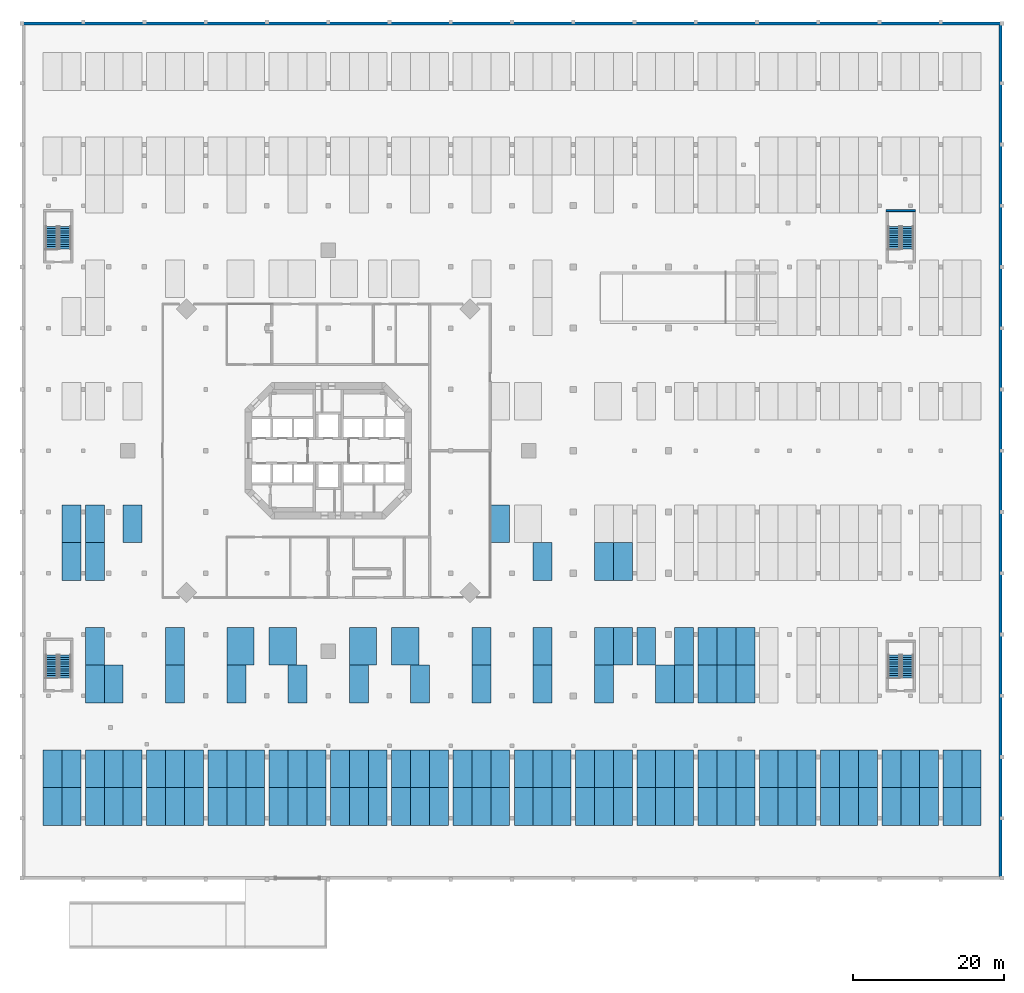
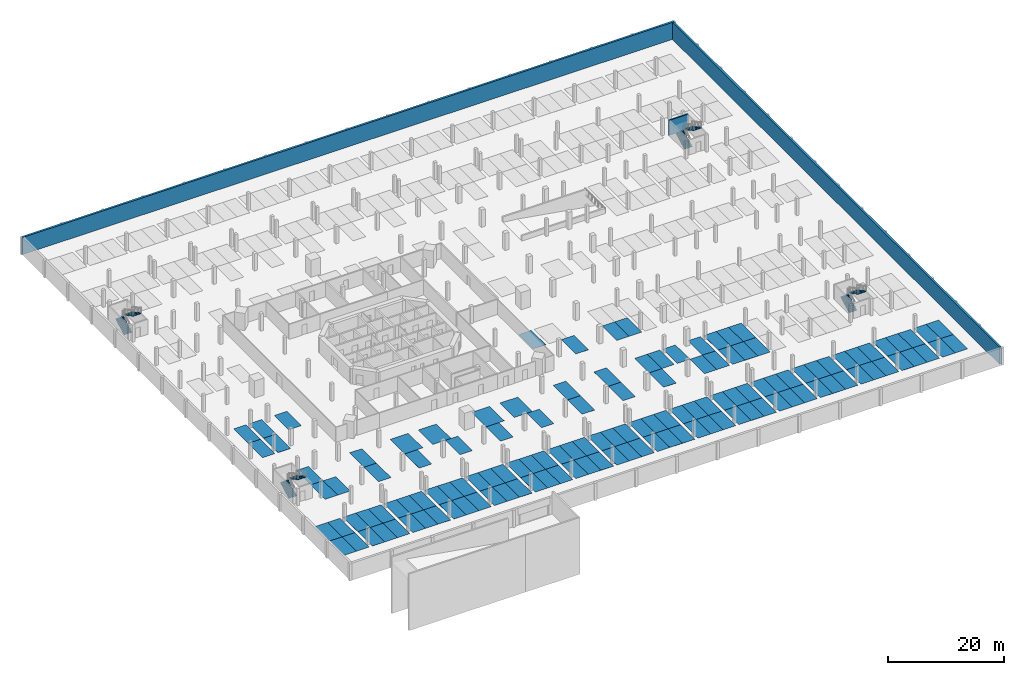
# One storey, part 12 of 14: 131 discrete accessories, 8 stair flights, 3 walls, 4 elements without a shape of their own.
"""IFC4 building model written with IfcOpenShell, lengths in metres."""

from ifc_helpers import new_model, si_unit, direction, frame, frame_2d, origin, origin_2d, place, context, subcontext, project, spatial, polyline, rectangle, outline, extrude, material, layer, layer_set, type_object, element, aggregate, save


model = new_model("IFC4")

# Units and contexts
model_context = context("Model", 3, precision=1e-05, world=origin(), true_north=direction((0.0, 1.0)))
body_context = subcontext(model_context, "Body", "Model", "MODEL_VIEW")
ifc_project = project(units=[si_unit("LENGTHUNIT", "METRE"), si_unit("AREAUNIT", "SQUARE_METRE"), si_unit("VOLUMEUNIT", "CUBIC_METRE"), si_unit("PLANEANGLEUNIT", "RADIAN"), si_unit("MASSUNIT", "GRAM", prefix="KILO")], contexts=[model_context])

# Site, building, storey
site_placement = place(None, origin())
site = spatial("IfcSite", under=ifc_project, at=site_placement, CompositionType="ELEMENT")
building_placement = place(site_placement, origin())
building = spatial("IfcBuilding", under=site, at=building_placement, Name="Torre Triforio", CompositionType="ELEMENT")
storey_placement = place(building_placement, frame((0.0, 0.0, -3.60009765625)))
storey = spatial("IfcBuildingStorey", under=building, at=storey_placement, Name="B1", CompositionType="ELEMENT", Elevation=-3.60009765625)

# Walls
ifc_material = material(Name="Concrete C40", Category="concrete")
ifc_layer_1 = layer(ifc_material, 0.39990234375)
ifc_layer_set_1 = layer_set([ifc_layer_1], Name="Concrete C40")
wall_type_1 = type_object("IfcWallType", Name="Retaining wall 400 C40", PredefinedType="SOLIDWALL", material=ifc_layer_set_1)
wall_1_placement = place(storey_placement, frame((-40.5, 56.5, 0.0), z_axis=(0.0, 0.0, 1.0), x_axis=(1.0, 0.0, 0.0)))
element("IfcWall", 1, at=wall_1_placement, inside=storey, type_object=wall_type_1, Name="WL.RET.B1.N", PredefinedType="SOLIDWALL", context=body_context, shape_type="SweptSolid", body=[
    extrude(rectangle(XDim=129.60009765625, YDim=0.39990234375, at=frame_2d((64.800048828125, 0.0))), origin(), (0.0, 0.0, 1.0), 3.60009765625),
])
wall_2_placement = place(storey_placement, frame((88.89990234375, -56.300048828125, 0.0), z_axis=(0.0, 0.0, 1.0), x_axis=(0.0, 1.0, 0.0)))
element("IfcWall", 2, at=wall_2_placement, inside=storey, type_object=wall_type_1, Name="WL.RET.B1.E", PredefinedType="SOLIDWALL", context=body_context, shape_type="SweptSolid", body=[
    extrude(rectangle(XDim=112.60009765625, YDim=0.39990234375, at=frame_2d((56.300048828125, 0.0))), origin(), (0.0, 0.0, 1.0), 3.60009765625),
])
ifc_layer_2 = layer(ifc_material, 0.25)
ifc_layer_set_2 = layer_set([ifc_layer_2], Name="Concrete C40")
wall_type_2 = type_object("IfcWallType", Name="Stair enclosure wall 250 EI 120", PredefinedType="STANDARD", material=ifc_layer_set_2)
wall_3_placement = place(storey_placement, frame((73.77490234375, 31.75, 0.0), z_axis=(0.0, 0.0, 1.0), x_axis=(1.0, 0.0, 0.0)))
element("IfcWall", 3, at=wall_3_placement, inside=storey, type_object=wall_type_2, Name="Stair enclosure wall B1 014", PredefinedType="STANDARD", context=body_context, shape_type="SweptSolid", body=[
    extrude(rectangle(XDim=3.85009765625, YDim=0.25, at=frame_2d((1.925048828125, 0.0))), origin(), (0.0, 0.0, 1.0), 3.150146484375),
])

# Stair, stair flights
stair_type = type_object("IfcStairType", Name="Egress stair 1400 clear", PredefinedType="NOTDEFINED", material=ifc_material)
stair_1_placement = place(storey_placement, origin())
stair_1 = element("IfcStair", 4, at=stair_1_placement, inside=storey, type_object=stair_type, Name="Exit stair BS1 B1 to L00", PredefinedType="NOTDEFINED")
stair_flight_type = type_object("IfcStairFlightType", Name="Egress stair flight 1400", PredefinedType="STRAIGHT", material=ifc_material)
stair_flight_1_placement = place(storey_placement, frame((-36.60009765625, -30.02490234375, 0.0), z_axis=(0.0, 0.0, 1.0), x_axis=(0.0, 1.0, 0.0)))
stair_flight_1 = element("IfcStairFlight", 5, at=stair_flight_1_placement, type_object=stair_flight_type, Name="BS1 flight 1", NumberOfRisers=11, NumberOfTreads=10, PredefinedType="STRAIGHT", RiserHeight=0.163636364, TreadLength=0.3, context=body_context, shape_type="SweptSolid", body=[
    extrude(outline(polyline([(0.0, 0.0), (0.0, 0.16357421875), (0.300048828125, 0.16357421875), (0.300048828125, 0.327392578125), (0.60009765625, 0.327392578125), (0.60009765625, 0.490966796875), (0.89990234375, 0.490966796875), (0.89990234375, 0.654541015625), (1.199951171875, 0.654541015625), (1.199951171875, 0.818115234375), (1.5, 0.818115234375), (1.5, 0.98193359375), (1.800048828125, 0.98193359375), (1.800048828125, 1.1455078125), (2.10009765625, 1.1455078125), (2.10009765625, 1.30908203125), (2.39990234375, 1.30908203125), (2.39990234375, 1.47265625), (2.699951171875, 1.47265625), (2.699951171875, 1.636474609375), (3.0, 1.636474609375), (3.0, 1.800048828125), (3.0, 1.465576171875), (0.31298828125, 0.0), (0.0, 0.0)])), frame((0.0, 0.77490234375, 0.0), z_axis=(0.0, -1.0, 0.0), x_axis=(1.0, 0.0, 0.0)), (0.0, 0.0, 1.0), 1.550048828125),
])
stair_flight_2_placement = place(storey_placement, frame((-34.800048828125, -27.02490234375, 1.800048828125), z_axis=(0.0, 0.0, 1.0), x_axis=(0.0, -1.0, 0.0)))
stair_flight_2 = element("IfcStairFlight", 6, at=stair_flight_2_placement, type_object=stair_flight_type, Name="BS1 flight 2", NumberOfRisers=11, NumberOfTreads=10, PredefinedType="STRAIGHT", RiserHeight=0.163636364, TreadLength=0.3, context=body_context, shape_type="SweptSolid", body=[
    extrude(outline(polyline([(0.0, 0.0), (0.0, 0.16357421875), (0.300048828125, 0.16357421875), (0.300048828125, 0.327392578125), (0.60009765625, 0.327392578125), (0.60009765625, 0.490966796875), (0.89990234375, 0.490966796875), (0.89990234375, 0.654541015625), (1.199951171875, 0.654541015625), (1.199951171875, 0.818115234375), (1.5, 0.818115234375), (1.5, 0.98193359375), (1.800048828125, 0.98193359375), (1.800048828125, 1.1455078125), (2.10009765625, 1.1455078125), (2.10009765625, 1.30908203125), (2.39990234375, 1.30908203125), (2.39990234375, 1.47265625), (2.699951171875, 1.47265625), (2.699951171875, 1.636474609375), (3.0, 1.636474609375), (3.0, 1.800048828125), (3.0, 1.465576171875), (0.31298828125, 0.0), (0.0, 0.0)])), frame((0.0, 0.77490234375, 0.0), z_axis=(0.0, -1.0, 0.0), x_axis=(1.0, 0.0, 0.0)), (0.0, 0.0, 1.0), 1.550048828125),
])
aggregate(stair_1, [stair_flight_1, stair_flight_2])

stair_2_placement = place(storey_placement, origin())
stair_2 = element("IfcStair", 7, at=stair_2_placement, inside=storey, type_object=stair_type, Name="Exit stair BS2 B1 to L00", PredefinedType="NOTDEFINED")
stair_flight_3_placement = place(storey_placement, frame((-36.60009765625, 26.675048828125, 0.0), z_axis=(0.0, 0.0, 1.0), x_axis=(0.0, 1.0, 0.0)))
stair_flight_3 = element("IfcStairFlight", 8, at=stair_flight_3_placement, type_object=stair_flight_type, Name="BS2 flight 1", NumberOfRisers=11, NumberOfTreads=10, PredefinedType="STRAIGHT", RiserHeight=0.163636364, TreadLength=0.3, context=body_context, shape_type="SweptSolid", body=[
    extrude(outline(polyline([(0.0, 0.0), (0.0, 0.16357421875), (0.300048828125, 0.16357421875), (0.300048828125, 0.327392578125), (0.60009765625, 0.327392578125), (0.60009765625, 0.490966796875), (0.89990234375, 0.490966796875), (0.89990234375, 0.654541015625), (1.199951171875, 0.654541015625), (1.199951171875, 0.818115234375), (1.5, 0.818115234375), (1.5, 0.98193359375), (1.800048828125, 0.98193359375), (1.800048828125, 1.1455078125), (2.10009765625, 1.1455078125), (2.10009765625, 1.30908203125), (2.39990234375, 1.30908203125), (2.39990234375, 1.47265625), (2.699951171875, 1.47265625), (2.699951171875, 1.636474609375), (3.0, 1.636474609375), (3.0, 1.800048828125), (3.0, 1.465576171875), (0.31298828125, 0.0), (0.0, 0.0)])), frame((0.0, 0.77490234375, 0.0), z_axis=(0.0, -1.0, 0.0), x_axis=(1.0, 0.0, 0.0)), (0.0, 0.0, 1.0), 1.550048828125),
])
stair_flight_4_placement = place(storey_placement, frame((-34.800048828125, 29.675048828125, 1.800048828125), z_axis=(0.0, 0.0, 1.0), x_axis=(0.0, -1.0, 0.0)))
stair_flight_4 = element("IfcStairFlight", 9, at=stair_flight_4_placement, type_object=stair_flight_type, Name="BS2 flight 2", NumberOfRisers=11, NumberOfTreads=10, PredefinedType="STRAIGHT", RiserHeight=0.163636364, TreadLength=0.3, context=body_context, shape_type="SweptSolid", body=[
    extrude(outline(polyline([(0.0, 0.0), (0.0, 0.16357421875), (0.300048828125, 0.16357421875), (0.300048828125, 0.327392578125), (0.60009765625, 0.327392578125), (0.60009765625, 0.490966796875), (0.89990234375, 0.490966796875), (0.89990234375, 0.654541015625), (1.199951171875, 0.654541015625), (1.199951171875, 0.818115234375), (1.5, 0.818115234375), (1.5, 0.98193359375), (1.800048828125, 0.98193359375), (1.800048828125, 1.1455078125), (2.10009765625, 1.1455078125), (2.10009765625, 1.30908203125), (2.39990234375, 1.30908203125), (2.39990234375, 1.47265625), (2.699951171875, 1.47265625), (2.699951171875, 1.636474609375), (3.0, 1.636474609375), (3.0, 1.800048828125), (3.0, 1.465576171875), (0.31298828125, 0.0), (0.0, 0.0)])), frame((0.0, 0.77490234375, 0.0), z_axis=(0.0, -1.0, 0.0), x_axis=(1.0, 0.0, 0.0)), (0.0, 0.0, 1.0), 1.550048828125),
])
aggregate(stair_2, [stair_flight_3, stair_flight_4])

stair_3_placement = place(storey_placement, origin())
stair_3 = element("IfcStair", 10, at=stair_3_placement, inside=storey, type_object=stair_type, Name="Exit stair BS3 B1 to L00", PredefinedType="NOTDEFINED")
stair_flight_5_placement = place(storey_placement, frame((74.800048828125, -30.02490234375, 0.0), z_axis=(0.0, 0.0, 1.0), x_axis=(0.0, 1.0, 0.0)))
stair_flight_5 = element("IfcStairFlight", 11, at=stair_flight_5_placement, type_object=stair_flight_type, Name="BS3 flight 1", NumberOfRisers=11, NumberOfTreads=10, PredefinedType="STRAIGHT", RiserHeight=0.163636364, TreadLength=0.3, context=body_context, shape_type="SweptSolid", body=[
    extrude(outline(polyline([(0.0, 0.0), (0.0, 0.16357421875), (0.300048828125, 0.16357421875), (0.300048828125, 0.327392578125), (0.60009765625, 0.327392578125), (0.60009765625, 0.490966796875), (0.89990234375, 0.490966796875), (0.89990234375, 0.654541015625), (1.199951171875, 0.654541015625), (1.199951171875, 0.818115234375), (1.5, 0.818115234375), (1.5, 0.98193359375), (1.800048828125, 0.98193359375), (1.800048828125, 1.1455078125), (2.10009765625, 1.1455078125), (2.10009765625, 1.30908203125), (2.39990234375, 1.30908203125), (2.39990234375, 1.47265625), (2.699951171875, 1.47265625), (2.699951171875, 1.636474609375), (3.0, 1.636474609375), (3.0, 1.800048828125), (3.0, 1.465576171875), (0.31298828125, 0.0), (0.0, 0.0)])), frame((0.0, 0.77490234375, 0.0), z_axis=(0.0, -1.0, 0.0), x_axis=(1.0, 0.0, 0.0)), (0.0, 0.0, 1.0), 1.550048828125),
])
stair_flight_6_placement = place(storey_placement, frame((76.60009765625, -27.02490234375, 1.800048828125), z_axis=(0.0, 0.0, 1.0), x_axis=(0.0, -1.0, 0.0)))
stair_flight_6 = element("IfcStairFlight", 12, at=stair_flight_6_placement, type_object=stair_flight_type, Name="BS3 flight 2", NumberOfRisers=11, NumberOfTreads=10, PredefinedType="STRAIGHT", RiserHeight=0.163636364, TreadLength=0.3, context=body_context, shape_type="SweptSolid", body=[
    extrude(outline(polyline([(0.0, 0.0), (0.0, 0.16357421875), (0.300048828125, 0.16357421875), (0.300048828125, 0.327392578125), (0.60009765625, 0.327392578125), (0.60009765625, 0.490966796875), (0.89990234375, 0.490966796875), (0.89990234375, 0.654541015625), (1.199951171875, 0.654541015625), (1.199951171875, 0.818115234375), (1.5, 0.818115234375), (1.5, 0.98193359375), (1.800048828125, 0.98193359375), (1.800048828125, 1.1455078125), (2.10009765625, 1.1455078125), (2.10009765625, 1.30908203125), (2.39990234375, 1.30908203125), (2.39990234375, 1.47265625), (2.699951171875, 1.47265625), (2.699951171875, 1.636474609375), (3.0, 1.636474609375), (3.0, 1.800048828125), (3.0, 1.465576171875), (0.31298828125, 0.0), (0.0, 0.0)])), frame((0.0, 0.77490234375, 0.0), z_axis=(0.0, -1.0, 0.0), x_axis=(1.0, 0.0, 0.0)), (0.0, 0.0, 1.0), 1.550048828125),
])
aggregate(stair_3, [stair_flight_5, stair_flight_6])

stair_4_placement = place(storey_placement, origin())
stair_4 = element("IfcStair", 13, at=stair_4_placement, inside=storey, type_object=stair_type, Name="Exit stair BS4 B1 to L00", PredefinedType="NOTDEFINED")
stair_flight_7_placement = place(storey_placement, frame((74.800048828125, 26.675048828125, 0.0), z_axis=(0.0, 0.0, 1.0), x_axis=(0.0, 1.0, 0.0)))
stair_flight_7 = element("IfcStairFlight", 14, at=stair_flight_7_placement, type_object=stair_flight_type, Name="BS4 flight 1", NumberOfRisers=11, NumberOfTreads=10, PredefinedType="STRAIGHT", RiserHeight=0.163636364, TreadLength=0.3, context=body_context, shape_type="SweptSolid", body=[
    extrude(outline(polyline([(0.0, 0.0), (0.0, 0.16357421875), (0.300048828125, 0.16357421875), (0.300048828125, 0.327392578125), (0.60009765625, 0.327392578125), (0.60009765625, 0.490966796875), (0.89990234375, 0.490966796875), (0.89990234375, 0.654541015625), (1.199951171875, 0.654541015625), (1.199951171875, 0.818115234375), (1.5, 0.818115234375), (1.5, 0.98193359375), (1.800048828125, 0.98193359375), (1.800048828125, 1.1455078125), (2.10009765625, 1.1455078125), (2.10009765625, 1.30908203125), (2.39990234375, 1.30908203125), (2.39990234375, 1.47265625), (2.699951171875, 1.47265625), (2.699951171875, 1.636474609375), (3.0, 1.636474609375), (3.0, 1.800048828125), (3.0, 1.465576171875), (0.31298828125, 0.0), (0.0, 0.0)])), frame((0.0, 0.77490234375, 0.0), z_axis=(0.0, -1.0, 0.0), x_axis=(1.0, 0.0, 0.0)), (0.0, 0.0, 1.0), 1.550048828125),
])
stair_flight_8_placement = place(storey_placement, frame((76.60009765625, 29.675048828125, 1.800048828125), z_axis=(0.0, 0.0, 1.0), x_axis=(0.0, -1.0, 0.0)))
stair_flight_8 = element("IfcStairFlight", 15, at=stair_flight_8_placement, type_object=stair_flight_type, Name="BS4 flight 2", NumberOfRisers=11, NumberOfTreads=10, PredefinedType="STRAIGHT", RiserHeight=0.163636364, TreadLength=0.3, context=body_context, shape_type="SweptSolid", body=[
    extrude(outline(polyline([(0.0, 0.0), (0.0, 0.16357421875), (0.300048828125, 0.16357421875), (0.300048828125, 0.327392578125), (0.60009765625, 0.327392578125), (0.60009765625, 0.490966796875), (0.89990234375, 0.490966796875), (0.89990234375, 0.654541015625), (1.199951171875, 0.654541015625), (1.199951171875, 0.818115234375), (1.5, 0.818115234375), (1.5, 0.98193359375), (1.800048828125, 0.98193359375), (1.800048828125, 1.1455078125), (2.10009765625, 1.1455078125), (2.10009765625, 1.30908203125), (2.39990234375, 1.30908203125), (2.39990234375, 1.47265625), (2.699951171875, 1.47265625), (2.699951171875, 1.636474609375), (3.0, 1.636474609375), (3.0, 1.800048828125), (3.0, 1.465576171875), (0.31298828125, 0.0), (0.0, 0.0)])), frame((0.0, 0.77490234375, 0.0), z_axis=(0.0, -1.0, 0.0), x_axis=(1.0, 0.0, 0.0)), (0.0, 0.0, 1.0), 1.550048828125),
])
aggregate(stair_4, [stair_flight_7, stair_flight_8])

# Discrete accessories
for number, where, z_axis, x_axis, name in (
    (16, (-36.449951171875, -47.050048828125, 0.000244140625), (0.0, 0.0, 1.0), (1.0, 0.0, 0.0), "Parking bay marking B1-A-01"),
    (17, (-33.949951171875, -47.050048828125, 0.000244140625), (0.0, 0.0, 1.0), (1.0, 0.0, 0.0), "Parking bay marking B1-A-02"),
    (18, (-30.85009765625, -47.050048828125, 0.000244140625), (0.0, 0.0, 1.0), (1.0, 0.0, 0.0), "Parking bay marking B1-A-03"),
    (19, (-28.35009765625, -47.050048828125, 0.000244140625), (0.0, 0.0, 1.0), (1.0, 0.0, 0.0), "Parking bay marking B1-A-04"),
    (20, (-25.85009765625, -47.050048828125, 0.000244140625), (0.0, 0.0, 1.0), (1.0, 0.0, 0.0), "Parking bay marking B1-A-05"),
    (21, (-22.75, -47.050048828125, 0.000244140625), (0.0, 0.0, 1.0), (1.0, 0.0, 0.0), "Parking bay marking B1-A-06"),
    (22, (-20.25, -47.050048828125, 0.000244140625), (0.0, 0.0, 1.0), (1.0, 0.0, 0.0), "Parking bay marking B1-A-07"),
    (23, (-17.75, -47.050048828125, 0.000244140625), (0.0, 0.0, 1.0), (1.0, 0.0, 0.0), "Parking bay marking B1-A-08"),
    (24, (-14.64990234375, -47.050048828125, 0.000244140625), (0.0, 0.0, 1.0), (1.0, 0.0, 0.0), "Parking bay marking B1-A-09"),
    (25, (-12.14990234375, -47.050048828125, 0.000244140625), (0.0, 0.0, 1.0), (1.0, 0.0, 0.0), "Parking bay marking B1-A-10"),
    (26, (-9.64990234375, -47.050048828125, 0.000244140625), (0.0, 0.0, 1.0), (1.0, 0.0, 0.0), "Parking bay marking B1-A-11"),
    (27, (-36.449951171875, -42.050048828125, 0.000244140625), (0.0, 0.0, 1.0), (1.0, 0.0, 0.0), "Parking bay marking B1-A-12"),
    (28, (-33.949951171875, -42.050048828125, 0.000244140625), (0.0, 0.0, 1.0), (1.0, 0.0, 0.0), "Parking bay marking B1-A-13"),
    (29, (-30.85009765625, -42.050048828125, 0.000244140625), (0.0, 0.0, 1.0), (1.0, 0.0, 0.0), "Parking bay marking B1-A-14"),
    (30, (-28.35009765625, -42.050048828125, 0.000244140625), (0.0, 0.0, 1.0), (1.0, 0.0, 0.0), "Parking bay marking B1-A-15"),
    (31, (-25.85009765625, -42.050048828125, 0.000244140625), (0.0, 0.0, 1.0), (1.0, 0.0, 0.0), "Parking bay marking B1-A-16"),
    (32, (-22.75, -42.050048828125, 0.000244140625), (0.0, 0.0, 1.0), (1.0, 0.0, 0.0), "Parking bay marking B1-A-17"),
    (33, (-20.25, -42.050048828125, 0.000244140625), (0.0, 0.0, 1.0), (1.0, 0.0, 0.0), "Parking bay marking B1-A-18"),
    (34, (-17.75, -42.050048828125, 0.000244140625), (0.0, 0.0, 1.0), (1.0, 0.0, 0.0), "Parking bay marking B1-A-19"),
    (35, (-14.64990234375, -42.050048828125, 0.000244140625), (0.0, 0.0, 1.0), (1.0, 0.0, 0.0), "Parking bay marking B1-A-20"),
    (36, (-12.14990234375, -42.050048828125, 0.000244140625), (0.0, 0.0, 1.0), (1.0, 0.0, 0.0), "Parking bay marking B1-A-21"),
    (37, (-9.64990234375, -42.050048828125, 0.000244140625), (0.0, 0.0, 1.0), (1.0, 0.0, 0.0), "Parking bay marking B1-A-22"),
    (38, (-30.85009765625, -30.85009765625, 0.000244140625), (0.0, 0.0, 1.0), (1.0, 0.0, 0.0), "Parking bay marking B1-A-23"),
    (39, (-28.35009765625, -30.85009765625, 0.000244140625), (0.0, 0.0, 1.0), (1.0, 0.0, 0.0), "Parking bay marking B1-A-24"),
    (40, (-20.25, -30.85009765625, 0.000244140625), (0.0, 0.0, 1.0), (1.0, 0.0, 0.0), "Parking bay marking B1-A-25"),
    (41, (-12.14990234375, -30.85009765625, 0.000244140625), (0.0, 0.0, 1.0), (1.0, 0.0, 0.0), "Parking bay marking B1-A-26"),
    (42, (-30.85009765625, -25.85009765625, 0.000244140625), (0.0, 0.0, 1.0), (1.0, 0.0, 0.0), "Parking bay marking B1-A-27"),
    (43, (-20.25, -25.85009765625, 0.000244140625), (0.0, 0.0, 1.0), (1.0, 0.0, 0.0), "Parking bay marking B1-A-28"),
):
    element("IfcDiscreteAccessory", number, at=place(storey_placement, frame(where, z_axis=z_axis, x_axis=x_axis)), inside=storey, Name=name, PredefinedType="NOTDEFINED", context=body_context, shape_type="SweptSolid", body=[
        extrude(rectangle(XDim=2.5, YDim=5.0, at=origin_2d()), origin(), (0.0, 0.0, 1.0), 0.0048828125),
    ])
discrete_accessory_placement = place(storey_placement, frame((-11.60009765625, -25.85009765625, 0.000244140625), z_axis=(0.0, 0.0, 1.0), x_axis=(1.0, 0.0, 0.0)))
element("IfcDiscreteAccessory", 44, at=discrete_accessory_placement, inside=storey, Name="Accessible parking bay marking B1-A-29", PredefinedType="NOTDEFINED", context=body_context, shape_type="SweptSolid", body=[
    extrude(rectangle(XDim=3.60009765625, YDim=5.0, at=origin_2d()), origin(), (0.0, 0.0, 1.0), 0.0048828125),
])
for number, where, z_axis, x_axis, name in (
    (45, (-33.949951171875, -14.64990234375, 0.000244140625), (0.0, 0.0, 1.0), (1.0, 0.0, 0.0), "Parking bay marking B1-A-30"),
    (46, (-30.85009765625, -14.64990234375, 0.000244140625), (0.0, 0.0, 1.0), (1.0, 0.0, 0.0), "Parking bay marking B1-A-31"),
    (47, (-33.949951171875, -9.64990234375, 0.000244140625), (0.0, 0.0, 1.0), (1.0, 0.0, 0.0), "Parking bay marking B1-A-32"),
    (48, (-30.85009765625, -9.64990234375, 0.000244140625), (0.0, 0.0, 1.0), (1.0, 0.0, 0.0), "Parking bay marking B1-A-33"),
    (49, (-25.85009765625, -9.64990234375, 0.000244140625), (0.0, 0.0, 1.0), (1.0, 0.0, 0.0), "Parking bay marking B1-A-34"),
    (50, (-6.550048828125, -47.050048828125, 0.000244140625), (0.0, 0.0, 1.0), (1.0, 0.0, 0.0), "Parking bay marking B1-B-01"),
    (51, (-4.050048828125, -47.050048828125, 0.000244140625), (0.0, 0.0, 1.0), (1.0, 0.0, 0.0), "Parking bay marking B1-B-02"),
    (52, (-1.550048828125, -47.050048828125, 0.000244140625), (0.0, 0.0, 1.0), (1.0, 0.0, 0.0), "Parking bay marking B1-B-03"),
    (53, (1.550048828125, -47.050048828125, 0.000244140625), (0.0, 0.0, 1.0), (1.0, 0.0, 0.0), "Parking bay marking B1-B-04"),
    (54, (4.050048828125, -47.050048828125, 0.000244140625), (0.0, 0.0, 1.0), (1.0, 0.0, 0.0), "Parking bay marking B1-B-05"),
    (55, (6.550048828125, -47.050048828125, 0.000244140625), (0.0, 0.0, 1.0), (1.0, 0.0, 0.0), "Parking bay marking B1-B-06"),
    (56, (9.64990234375, -47.050048828125, 0.000244140625), (0.0, 0.0, 1.0), (1.0, 0.0, 0.0), "Parking bay marking B1-B-07"),
    (57, (12.14990234375, -47.050048828125, 0.000244140625), (0.0, 0.0, 1.0), (1.0, 0.0, 0.0), "Parking bay marking B1-B-08"),
    (58, (14.64990234375, -47.050048828125, 0.000244140625), (0.0, 0.0, 1.0), (1.0, 0.0, 0.0), "Parking bay marking B1-B-09"),
    (59, (17.75, -47.050048828125, 0.000244140625), (0.0, 0.0, 1.0), (1.0, 0.0, 0.0), "Parking bay marking B1-B-10"),
    (60, (20.25, -47.050048828125, 0.000244140625), (0.0, 0.0, 1.0), (1.0, 0.0, 0.0), "Parking bay marking B1-B-11"),
    (61, (22.75, -47.050048828125, 0.000244140625), (0.0, 0.0, 1.0), (1.0, 0.0, 0.0), "Parking bay marking B1-B-12"),
    (62, (-6.550048828125, -42.050048828125, 0.000244140625), (0.0, 0.0, 1.0), (1.0, 0.0, 0.0), "Parking bay marking B1-B-13"),
    (63, (-4.050048828125, -42.050048828125, 0.000244140625), (0.0, 0.0, 1.0), (1.0, 0.0, 0.0), "Parking bay marking B1-B-14"),
    (64, (-1.550048828125, -42.050048828125, 0.000244140625), (0.0, 0.0, 1.0), (1.0, 0.0, 0.0), "Parking bay marking B1-B-15"),
    (65, (1.550048828125, -42.050048828125, 0.000244140625), (0.0, 0.0, 1.0), (1.0, 0.0, 0.0), "Parking bay marking B1-B-16"),
    (66, (4.050048828125, -42.050048828125, 0.000244140625), (0.0, 0.0, 1.0), (1.0, 0.0, 0.0), "Parking bay marking B1-B-17"),
    (67, (6.550048828125, -42.050048828125, 0.000244140625), (0.0, 0.0, 1.0), (1.0, 0.0, 0.0), "Parking bay marking B1-B-18"),
    (68, (9.64990234375, -42.050048828125, 0.000244140625), (0.0, 0.0, 1.0), (1.0, 0.0, 0.0), "Parking bay marking B1-B-19"),
    (69, (12.14990234375, -42.050048828125, 0.000244140625), (0.0, 0.0, 1.0), (1.0, 0.0, 0.0), "Parking bay marking B1-B-20"),
    (70, (14.64990234375, -42.050048828125, 0.000244140625), (0.0, 0.0, 1.0), (1.0, 0.0, 0.0), "Parking bay marking B1-B-21"),
    (71, (17.75, -42.050048828125, 0.000244140625), (0.0, 0.0, 1.0), (1.0, 0.0, 0.0), "Parking bay marking B1-B-22"),
    (72, (20.25, -42.050048828125, 0.000244140625), (0.0, 0.0, 1.0), (1.0, 0.0, 0.0), "Parking bay marking B1-B-23"),
    (73, (22.75, -42.050048828125, 0.000244140625), (0.0, 0.0, 1.0), (1.0, 0.0, 0.0), "Parking bay marking B1-B-24"),
    (74, (-4.050048828125, -30.85009765625, 0.000244140625), (0.0, 0.0, 1.0), (1.0, 0.0, 0.0), "Parking bay marking B1-B-25"),
    (75, (4.050048828125, -30.85009765625, 0.000244140625), (0.0, 0.0, 1.0), (1.0, 0.0, 0.0), "Parking bay marking B1-B-26"),
    (76, (12.14990234375, -30.85009765625, 0.000244140625), (0.0, 0.0, 1.0), (1.0, 0.0, 0.0), "Parking bay marking B1-B-27"),
    (77, (20.25, -30.85009765625, 0.000244140625), (0.0, 0.0, 1.0), (1.0, 0.0, 0.0), "Parking bay marking B1-B-28"),
):
    element("IfcDiscreteAccessory", number, at=place(storey_placement, frame(where, z_axis=z_axis, x_axis=x_axis)), inside=storey, Name=name, PredefinedType="NOTDEFINED", context=body_context, shape_type="SweptSolid", body=[
        extrude(rectangle(XDim=2.5, YDim=5.0, at=origin_2d()), origin(), (0.0, 0.0, 1.0), 0.0048828125),
    ])
for number, where, z_axis, x_axis, name in (
    (78, (-6.0, -25.85009765625, 0.000244140625), (0.0, 0.0, 1.0), (1.0, 0.0, 0.0), "Accessible parking bay marking B1-B-29"),
    (79, (4.60009765625, -25.85009765625, 0.000244140625), (0.0, 0.0, 1.0), (1.0, 0.0, 0.0), "Accessible parking bay marking B1-B-30"),
    (80, (10.199951171875, -25.85009765625, 0.000244140625), (0.0, 0.0, 1.0), (1.0, 0.0, 0.0), "Accessible parking bay marking B1-B-31"),
):
    element("IfcDiscreteAccessory", number, at=place(storey_placement, frame(where, z_axis=z_axis, x_axis=x_axis)), inside=storey, Name=name, PredefinedType="NOTDEFINED", context=body_context, shape_type="SweptSolid", body=[
        extrude(rectangle(XDim=3.60009765625, YDim=5.0, at=origin_2d()), origin(), (0.0, 0.0, 1.0), 0.0048828125),
    ])
for number, where, z_axis, x_axis, name in (
    (81, (20.25, -25.85009765625, 0.000244140625), (0.0, 0.0, 1.0), (1.0, 0.0, 0.0), "Parking bay marking B1-B-32"),
    (82, (22.75, -9.64990234375, 0.000244140625), (0.0, 0.0, 1.0), (1.0, 0.0, 0.0), "Parking bay marking B1-B-33"),
    (83, (25.85009765625, -47.050048828125, 0.000244140625), (0.0, 0.0, 1.0), (1.0, 0.0, 0.0), "Parking bay marking B1-C-01"),
    (84, (28.35009765625, -47.050048828125, 0.000244140625), (0.0, 0.0, 1.0), (1.0, 0.0, 0.0), "Parking bay marking B1-C-02"),
    (85, (30.85009765625, -47.050048828125, 0.000244140625), (0.0, 0.0, 1.0), (1.0, 0.0, 0.0), "Parking bay marking B1-C-03"),
    (86, (33.949951171875, -47.050048828125, 0.000244140625), (0.0, 0.0, 1.0), (1.0, 0.0, 0.0), "Parking bay marking B1-C-04"),
    (87, (36.449951171875, -47.050048828125, 0.000244140625), (0.0, 0.0, 1.0), (1.0, 0.0, 0.0), "Parking bay marking B1-C-05"),
    (88, (38.949951171875, -47.050048828125, 0.000244140625), (0.0, 0.0, 1.0), (1.0, 0.0, 0.0), "Parking bay marking B1-C-06"),
    (89, (42.050048828125, -47.050048828125, 0.000244140625), (0.0, 0.0, 1.0), (1.0, 0.0, 0.0), "Parking bay marking B1-C-07"),
    (90, (44.550048828125, -47.050048828125, 0.000244140625), (0.0, 0.0, 1.0), (1.0, 0.0, 0.0), "Parking bay marking B1-C-08"),
    (91, (47.050048828125, -47.050048828125, 0.000244140625), (0.0, 0.0, 1.0), (1.0, 0.0, 0.0), "Parking bay marking B1-C-09"),
    (92, (50.14990234375, -47.050048828125, 0.000244140625), (0.0, 0.0, 1.0), (1.0, 0.0, 0.0), "Parking bay marking B1-C-10"),
    (93, (52.64990234375, -47.050048828125, 0.000244140625), (0.0, 0.0, 1.0), (1.0, 0.0, 0.0), "Parking bay marking B1-C-11"),
    (94, (55.14990234375, -47.050048828125, 0.000244140625), (0.0, 0.0, 1.0), (1.0, 0.0, 0.0), "Parking bay marking B1-C-12"),
    (95, (25.85009765625, -42.050048828125, 0.000244140625), (0.0, 0.0, 1.0), (1.0, 0.0, 0.0), "Parking bay marking B1-C-13"),
    (96, (28.35009765625, -42.050048828125, 0.000244140625), (0.0, 0.0, 1.0), (1.0, 0.0, 0.0), "Parking bay marking B1-C-14"),
    (97, (30.85009765625, -42.050048828125, 0.000244140625), (0.0, 0.0, 1.0), (1.0, 0.0, 0.0), "Parking bay marking B1-C-15"),
    (98, (33.949951171875, -42.050048828125, 0.000244140625), (0.0, 0.0, 1.0), (1.0, 0.0, 0.0), "Parking bay marking B1-C-16"),
    (99, (36.449951171875, -42.050048828125, 0.000244140625), (0.0, 0.0, 1.0), (1.0, 0.0, 0.0), "Parking bay marking B1-C-17"),
    (100, (38.949951171875, -42.050048828125, 0.000244140625), (0.0, 0.0, 1.0), (1.0, 0.0, 0.0), "Parking bay marking B1-C-18"),
    (101, (42.050048828125, -42.050048828125, 0.000244140625), (0.0, 0.0, 1.0), (1.0, 0.0, 0.0), "Parking bay marking B1-C-19"),
    (102, (44.550048828125, -42.050048828125, 0.000244140625), (0.0, 0.0, 1.0), (1.0, 0.0, 0.0), "Parking bay marking B1-C-20"),
    (103, (47.050048828125, -42.050048828125, 0.000244140625), (0.0, 0.0, 1.0), (1.0, 0.0, 0.0), "Parking bay marking B1-C-21"),
    (104, (50.14990234375, -42.050048828125, 0.000244140625), (0.0, 0.0, 1.0), (1.0, 0.0, 0.0), "Parking bay marking B1-C-22"),
    (105, (52.64990234375, -42.050048828125, 0.000244140625), (0.0, 0.0, 1.0), (1.0, 0.0, 0.0), "Parking bay marking B1-C-23"),
    (106, (55.14990234375, -42.050048828125, 0.000244140625), (0.0, 0.0, 1.0), (1.0, 0.0, 0.0), "Parking bay marking B1-C-24"),
    (107, (28.35009765625, -30.85009765625, 0.000244140625), (0.0, 0.0, 1.0), (1.0, 0.0, 0.0), "Parking bay marking B1-C-25"),
    (108, (36.449951171875, -30.85009765625, 0.000244140625), (0.0, 0.0, 1.0), (1.0, 0.0, 0.0), "Parking bay marking B1-C-26"),
    (109, (44.550048828125, -30.85009765625, 0.000244140625), (0.0, 0.0, 1.0), (1.0, 0.0, 0.0), "Parking bay marking B1-C-27"),
    (110, (47.050048828125, -30.85009765625, 0.000244140625), (0.0, 0.0, 1.0), (1.0, 0.0, 0.0), "Parking bay marking B1-C-28"),
    (111, (50.14990234375, -30.85009765625, 0.000244140625), (0.0, 0.0, 1.0), (1.0, 0.0, 0.0), "Parking bay marking B1-C-29"),
    (112, (52.64990234375, -30.85009765625, 0.000244140625), (0.0, 0.0, 1.0), (1.0, 0.0, 0.0), "Parking bay marking B1-C-30"),
    (113, (55.14990234375, -30.85009765625, 0.000244140625), (0.0, 0.0, 1.0), (1.0, 0.0, 0.0), "Parking bay marking B1-C-31"),
    (114, (28.35009765625, -25.85009765625, 0.000244140625), (0.0, 0.0, 1.0), (1.0, 0.0, 0.0), "Parking bay marking B1-C-32"),
    (115, (36.449951171875, -25.85009765625, 0.000244140625), (0.0, 0.0, 1.0), (1.0, 0.0, 0.0), "Parking bay marking B1-C-33"),
    (116, (38.949951171875, -25.85009765625, 0.000244140625), (0.0, 0.0, 1.0), (1.0, 0.0, 0.0), "Parking bay marking B1-C-34"),
    (117, (42.050048828125, -25.85009765625, 0.000244140625), (0.0, 0.0, 1.0), (1.0, 0.0, 0.0), "Parking bay marking B1-C-35"),
    (118, (47.050048828125, -25.85009765625, 0.000244140625), (0.0, 0.0, 1.0), (1.0, 0.0, 0.0), "Parking bay marking B1-C-36"),
    (119, (50.14990234375, -25.85009765625, 0.000244140625), (0.0, 0.0, 1.0), (1.0, 0.0, 0.0), "Parking bay marking B1-C-37"),
    (120, (52.64990234375, -25.85009765625, 0.000244140625), (0.0, 0.0, 1.0), (1.0, 0.0, 0.0), "Parking bay marking B1-C-38"),
    (121, (55.14990234375, -25.85009765625, 0.000244140625), (0.0, 0.0, 1.0), (1.0, 0.0, 0.0), "Parking bay marking B1-C-39"),
    (122, (28.35009765625, -14.64990234375, 0.000244140625), (0.0, 0.0, 1.0), (1.0, 0.0, 0.0), "Parking bay marking B1-C-40"),
    (123, (36.449951171875, -14.64990234375, 0.000244140625), (0.0, 0.0, 1.0), (1.0, 0.0, 0.0), "Parking bay marking B1-C-41"),
    (124, (38.949951171875, -14.64990234375, 0.000244140625), (0.0, 0.0, 1.0), (1.0, 0.0, 0.0), "Parking bay marking B1-C-42"),
    (125, (58.25, -47.050048828125, 0.000244140625), (0.0, 0.0, 1.0), (1.0, 0.0, 0.0), "Parking bay marking B1-D-01"),
    (126, (60.75, -47.050048828125, 0.000244140625), (0.0, 0.0, 1.0), (1.0, 0.0, 0.0), "Parking bay marking B1-D-02"),
    (127, (63.25, -47.050048828125, 0.000244140625), (0.0, 0.0, 1.0), (1.0, 0.0, 0.0), "Parking bay marking B1-D-03"),
    (128, (66.35009765625, -47.050048828125, 0.000244140625), (0.0, 0.0, 1.0), (1.0, 0.0, 0.0), "Parking bay marking B1-D-04"),
    (129, (68.85009765625, -47.050048828125, 0.000244140625), (0.0, 0.0, 1.0), (1.0, 0.0, 0.0), "Parking bay marking B1-D-05"),
    (130, (71.35009765625, -47.050048828125, 0.000244140625), (0.0, 0.0, 1.0), (1.0, 0.0, 0.0), "Parking bay marking B1-D-06"),
    (131, (74.449951171875, -47.050048828125, 0.000244140625), (0.0, 0.0, 1.0), (1.0, 0.0, 0.0), "Parking bay marking B1-D-07"),
    (132, (76.949951171875, -47.050048828125, 0.000244140625), (0.0, 0.0, 1.0), (1.0, 0.0, 0.0), "Parking bay marking B1-D-08"),
    (133, (79.449951171875, -47.050048828125, 0.000244140625), (0.0, 0.0, 1.0), (1.0, 0.0, 0.0), "Parking bay marking B1-D-09"),
    (134, (82.550048828125, -47.050048828125, 0.000244140625), (0.0, 0.0, 1.0), (1.0, 0.0, 0.0), "Parking bay marking B1-D-10"),
    (135, (85.050048828125, -47.050048828125, 0.000244140625), (0.0, 0.0, 1.0), (1.0, 0.0, 0.0), "Parking bay marking B1-D-11"),
    (136, (58.25, -42.050048828125, 0.000244140625), (0.0, 0.0, 1.0), (1.0, 0.0, 0.0), "Parking bay marking B1-D-12"),
    (137, (60.75, -42.050048828125, 0.000244140625), (0.0, 0.0, 1.0), (1.0, 0.0, 0.0), "Parking bay marking B1-D-13"),
    (138, (63.25, -42.050048828125, 0.000244140625), (0.0, 0.0, 1.0), (1.0, 0.0, 0.0), "Parking bay marking B1-D-14"),
    (139, (66.35009765625, -42.050048828125, 0.000244140625), (0.0, 0.0, 1.0), (1.0, 0.0, 0.0), "Parking bay marking B1-D-15"),
    (140, (68.85009765625, -42.050048828125, 0.000244140625), (0.0, 0.0, 1.0), (1.0, 0.0, 0.0), "Parking bay marking B1-D-16"),
    (141, (71.35009765625, -42.050048828125, 0.000244140625), (0.0, 0.0, 1.0), (1.0, 0.0, 0.0), "Parking bay marking B1-D-17"),
    (142, (74.449951171875, -42.050048828125, 0.000244140625), (0.0, 0.0, 1.0), (1.0, 0.0, 0.0), "Parking bay marking B1-D-18"),
    (143, (76.949951171875, -42.050048828125, 0.000244140625), (0.0, 0.0, 1.0), (1.0, 0.0, 0.0), "Parking bay marking B1-D-19"),
    (144, (79.449951171875, -42.050048828125, 0.000244140625), (0.0, 0.0, 1.0), (1.0, 0.0, 0.0), "Parking bay marking B1-D-20"),
    (145, (82.550048828125, -42.050048828125, 0.000244140625), (0.0, 0.0, 1.0), (1.0, 0.0, 0.0), "Parking bay marking B1-D-21"),
    (146, (85.050048828125, -42.050048828125, 0.000244140625), (0.0, 0.0, 1.0), (1.0, 0.0, 0.0), "Parking bay marking B1-D-22"),
):
    element("IfcDiscreteAccessory", number, at=place(storey_placement, frame(where, z_axis=z_axis, x_axis=x_axis)), inside=storey, Name=name, PredefinedType="NOTDEFINED", context=body_context, shape_type="SweptSolid", body=[
        extrude(rectangle(XDim=2.5, YDim=5.0, at=origin_2d()), origin(), (0.0, 0.0, 1.0), 0.0048828125),
    ])

save(model, "model.ifc")
